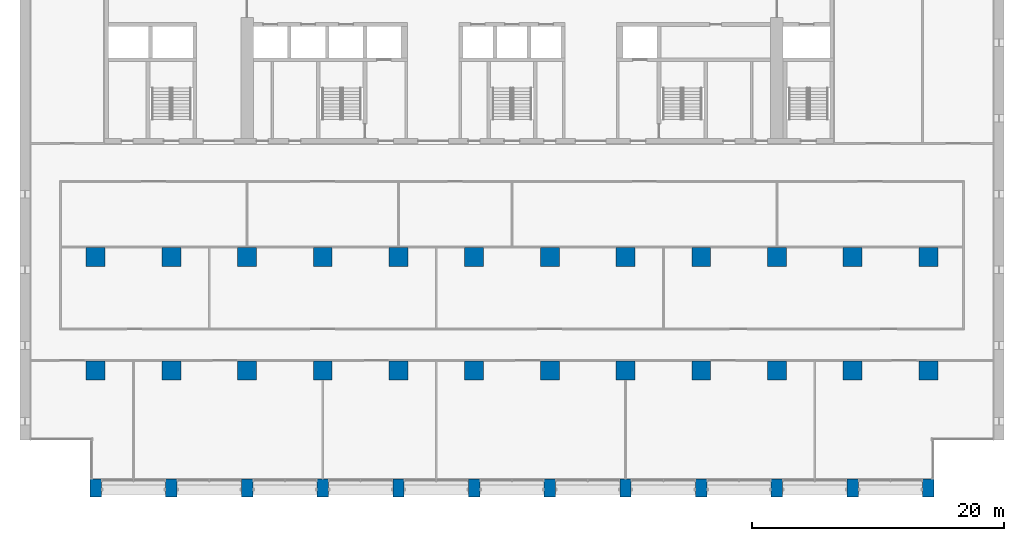
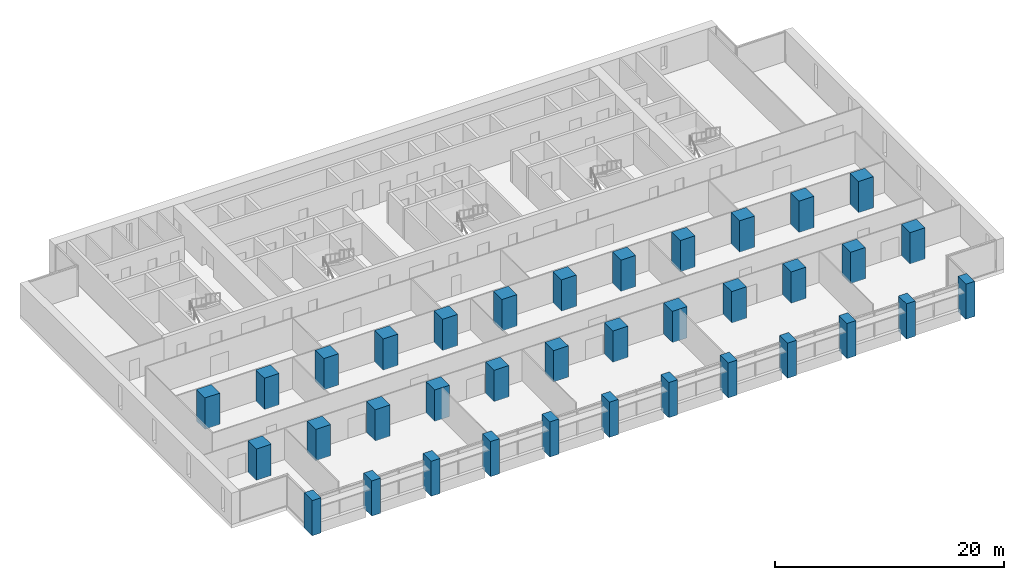
# One storey, part 1 of 18: 36 columns.
"""IFC4 building model written with IfcOpenShell, lengths in metres."""

from ifc_helpers import new_model, si_unit, direction, frame, origin, origin_2d, place, context, subcontext, project, spatial, rectangle, extrude, material, material_profile, profile_set, type_object, element, save


model = new_model("IFC4")

# Units and contexts
model_context = context("Model", 3, precision=1e-05, world=origin(), true_north=direction((0.0, 1.0)))
body_context = subcontext(model_context, "Body", "Model", "MODEL_VIEW")
ifc_project = project(units=[si_unit("LENGTHUNIT", "METRE"), si_unit("AREAUNIT", "SQUARE_METRE"), si_unit("VOLUMEUNIT", "CUBIC_METRE"), si_unit("PLANEANGLEUNIT", "RADIAN"), si_unit("MASSUNIT", "GRAM", prefix="KILO")], contexts=[model_context])

# Site, building, storey
site_placement = place(None, origin())
site = spatial("IfcSite", under=ifc_project, at=site_placement, CompositionType="ELEMENT")
building_placement = place(site_placement, origin())
building = spatial("IfcBuilding", under=site, at=building_placement, Name="Calvaro Tower", CompositionType="ELEMENT")
storey_placement = place(building_placement, frame((0.0, 0.0, 82.5)))
storey = spatial("IfcBuildingStorey", under=building, at=storey_placement, Name="L20", CompositionType="ELEMENT", Elevation=82.5)

# Columns
ifc_material_1 = material(Name="Concrete C80/95", Category="concrete")
ifc_material_profile_1 = material_profile(ifc_material_1, rectangle(XDim=1.5, YDim=1.5, at=origin_2d()), Name="RC 1500x1500")
ifc_profile_set_1 = profile_set([ifc_material_profile_1], Name="Concrete C80/95")
column_type_1 = type_object("IfcColumnType", Name="Column 1500x1500 C80/95", PredefinedType="COLUMN", material=ifc_profile_set_1)
for number, where, z_axis, x_axis, name in (
    (1, (6.0, 10.0, 0.0), (0.0, 0.0, 1.0), (1.0, 0.0, 0.0), "Column 2B"),
    (2, (6.0, 19.0, 0.0), (0.0, 0.0, 1.0), (1.0, 0.0, 0.0), "Column 2C"),
    (3, (12.0, 10.0, 0.0), (0.0, 0.0, 1.0), (1.0, 0.0, 0.0), "Column 3B"),
    (4, (12.0, 19.0, 0.0), (0.0, 0.0, 1.0), (1.0, 0.0, 0.0), "Column 3C"),
    (5, (18.0, 10.0, 0.0), (0.0, 0.0, 1.0), (1.0, 0.0, 0.0), "Column 4B"),
    (6, (18.0, 19.0, 0.0), (0.0, 0.0, 1.0), (1.0, 0.0, 0.0), "Column 4C"),
    (7, (24.0, 10.0, 0.0), (0.0, 0.0, 1.0), (1.0, 0.0, 0.0), "Column 5B"),
    (8, (24.0, 19.0, 0.0), (0.0, 0.0, 1.0), (1.0, 0.0, 0.0), "Column 5C"),
    (9, (30.0, 10.0, 0.0), (0.0, 0.0, 1.0), (1.0, 0.0, 0.0), "Column 6B"),
    (10, (30.0, 19.0, 0.0), (0.0, 0.0, 1.0), (1.0, 0.0, 0.0), "Column 6C"),
    (11, (36.0, 10.0, 0.0), (0.0, 0.0, 1.0), (1.0, 0.0, 0.0), "Column 7B"),
    (12, (36.0, 19.0, 0.0), (0.0, 0.0, 1.0), (1.0, 0.0, 0.0), "Column 7C"),
    (13, (42.0, 10.0, 0.0), (0.0, 0.0, 1.0), (1.0, 0.0, 0.0), "Column 8B"),
    (14, (42.0, 19.0, 0.0), (0.0, 0.0, 1.0), (1.0, 0.0, 0.0), "Column 8C"),
    (15, (48.0, 10.0, 0.0), (0.0, 0.0, 1.0), (1.0, 0.0, 0.0), "Column 9B"),
    (16, (48.0, 19.0, 0.0), (0.0, 0.0, 1.0), (1.0, 0.0, 0.0), "Column 9C"),
    (17, (54.0, 10.0, 0.0), (0.0, 0.0, 1.0), (1.0, 0.0, 0.0), "Column 10B"),
    (18, (54.0, 19.0, 0.0), (0.0, 0.0, 1.0), (1.0, 0.0, 0.0), "Column 10C"),
    (19, (60.0, 10.0, 0.0), (0.0, 0.0, 1.0), (1.0, 0.0, 0.0), "Column 11B"),
    (20, (60.0, 19.0, 0.0), (0.0, 0.0, 1.0), (1.0, 0.0, 0.0), "Column 11C"),
    (21, (66.0, 10.0, 0.0), (0.0, 0.0, 1.0), (1.0, 0.0, 0.0), "Column 12B"),
    (22, (66.0, 19.0, 0.0), (0.0, 0.0, 1.0), (1.0, 0.0, 0.0), "Column 12C"),
    (23, (72.0, 10.0, 0.0), (0.0, 0.0, 1.0), (1.0, 0.0, 0.0), "Column 13B"),
    (24, (72.0, 19.0, 0.0), (0.0, 0.0, 1.0), (1.0, 0.0, 0.0), "Column 13C"),
):
    element("IfcColumn", number, at=place(storey_placement, frame(where, z_axis=z_axis, x_axis=x_axis)), inside=storey, type_object=column_type_1, Name=name, PredefinedType="COLUMN", context=body_context, shape_type="SweptSolid", body=[
        extrude(rectangle(XDim=1.5, YDim=1.5, at=origin_2d()), origin(), (0.0, 0.0, 1.0), 3.35009765625),
    ])
ifc_material_2 = material(Name="Concrete C80/95", Category="concrete")
ifc_material_profile_2 = material_profile(ifc_material_2, rectangle(XDim=0.89990234375, YDim=1.39990234375, at=origin_2d()), Name="RC 900x1400")
ifc_profile_set_2 = profile_set([ifc_material_profile_2], Name="Concrete C80/95")
column_type_2 = type_object("IfcColumnType", Name="Pier 900x1400 C80/95", PredefinedType="COLUMN", material=ifc_profile_set_2)
for number, where, z_axis, x_axis, name in (
    (25, (6.0, 0.699951171875, -0.39990234375), (0.0, 0.0, 1.0), (1.0, 0.0, 0.0), "South pier 2"),
    (26, (12.0, 0.699951171875, -0.39990234375), (0.0, 0.0, 1.0), (1.0, 0.0, 0.0), "South pier 3"),
    (27, (18.0, 0.699951171875, -0.39990234375), (0.0, 0.0, 1.0), (1.0, 0.0, 0.0), "South pier 4"),
    (28, (24.0, 0.699951171875, -0.39990234375), (0.0, 0.0, 1.0), (1.0, 0.0, 0.0), "South pier 5"),
    (29, (30.0, 0.699951171875, -0.39990234375), (0.0, 0.0, 1.0), (1.0, 0.0, 0.0), "South pier 6"),
    (30, (36.0, 0.699951171875, -0.39990234375), (0.0, 0.0, 1.0), (1.0, 0.0, 0.0), "South pier 7"),
    (31, (42.0, 0.699951171875, -0.39990234375), (0.0, 0.0, 1.0), (1.0, 0.0, 0.0), "South pier 8"),
    (32, (48.0, 0.699951171875, -0.39990234375), (0.0, 0.0, 1.0), (1.0, 0.0, 0.0), "South pier 9"),
    (33, (54.0, 0.699951171875, -0.39990234375), (0.0, 0.0, 1.0), (1.0, 0.0, 0.0), "South pier 10"),
    (34, (60.0, 0.699951171875, -0.39990234375), (0.0, 0.0, 1.0), (1.0, 0.0, 0.0), "South pier 11"),
    (35, (66.0, 0.699951171875, -0.39990234375), (0.0, 0.0, 1.0), (1.0, 0.0, 0.0), "South pier 12"),
    (36, (72.0, 0.699951171875, -0.39990234375), (0.0, 0.0, 1.0), (1.0, 0.0, 0.0), "South pier 13"),
):
    element("IfcColumn", number, at=place(storey_placement, frame(where, z_axis=z_axis, x_axis=x_axis)), inside=storey, type_object=column_type_2, Name=name, PredefinedType="COLUMN", context=body_context, shape_type="SweptSolid", body=[
        extrude(rectangle(XDim=0.89990234375, YDim=1.39990234375, at=origin_2d()), origin(), (0.0, 0.0, 1.0), 3.75),
    ])

save(model, "model.ifc")
